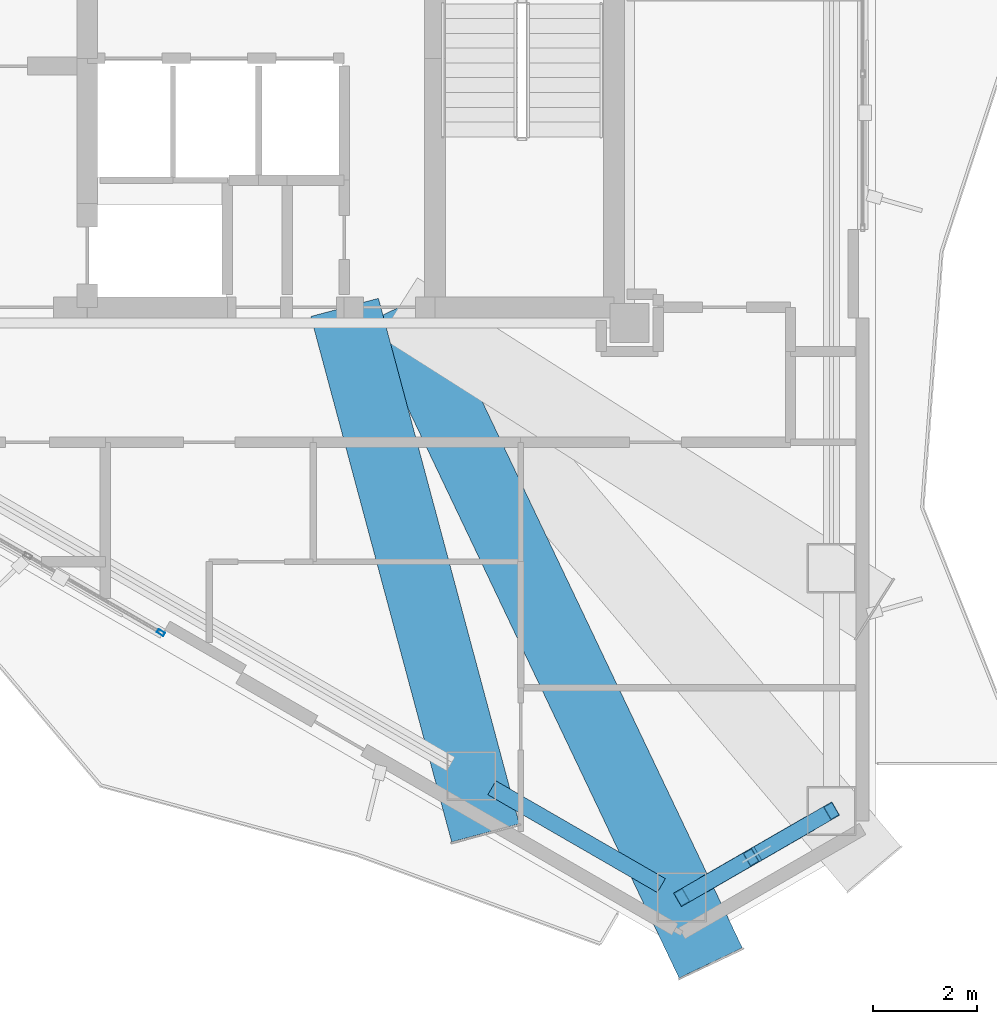
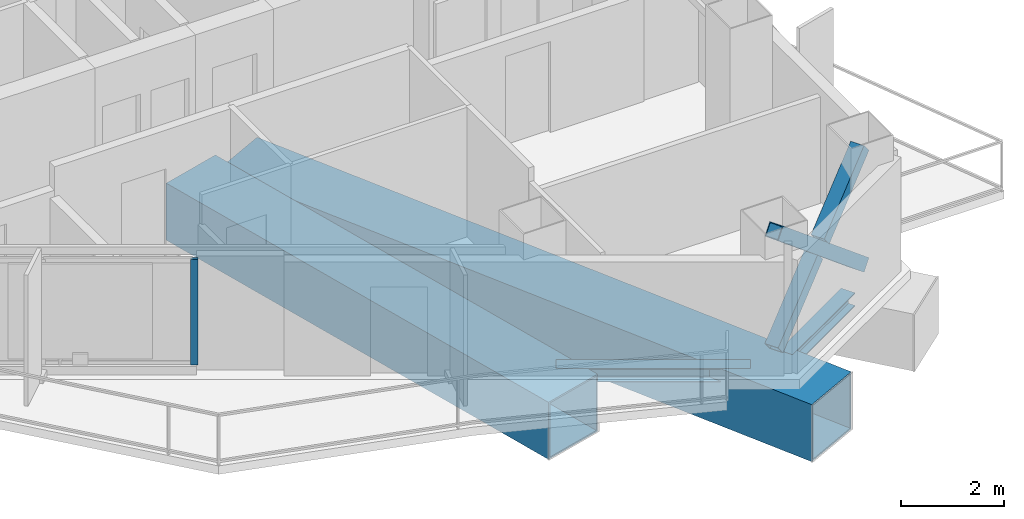
# One storey, part 4 of 19: 4 beams, 4 members, 1 element without a shape of its own.
"""IFC4 building model written with IfcOpenShell, lengths in metres."""

from ifc_helpers import new_model, si_unit, direction, frame, origin, origin_2d, place, context, subcontext, project, spatial, hollow_rectangle, i_section, extrude, material, layer, layer_set, material_profile, profile_set, type_object, element, aggregate, save


model = new_model("IFC4")

# Units and contexts
model_context = context("Model", 3, precision=1e-05, world=origin(), true_north=direction((0.0, 1.0)))
body_context = subcontext(model_context, "Body", "Model", "MODEL_VIEW")
ifc_project = project(units=[si_unit("LENGTHUNIT", "METRE"), si_unit("AREAUNIT", "SQUARE_METRE"), si_unit("VOLUMEUNIT", "CUBIC_METRE"), si_unit("PLANEANGLEUNIT", "RADIAN"), si_unit("MASSUNIT", "GRAM", prefix="KILO")], contexts=[model_context])

# Site, building, storey
site_placement = place(None, origin())
site = spatial("IfcSite", under=ifc_project, at=site_placement, CompositionType="ELEMENT")
building_placement = place(site_placement, origin())
building = spatial("IfcBuilding", under=site, at=building_placement, Name="Mersakhor Tower and Convention Hall", CompositionType="ELEMENT")
storey_placement = place(building_placement, frame((0.0, 0.0, 175.5)))
storey = spatial("IfcBuildingStorey", under=building, at=storey_placement, Name="L48", CompositionType="ELEMENT", Elevation=175.5)

# Beams
ifc_material_1 = material(Name="Steel S355", Category="steel")
ifc_material_profile_1 = material_profile(ifc_material_1, i_section(OverallWidth=0.30908203125, OverallDepth=0.320556640625, WebThickness=0.013916015625, FlangeThickness=0.021728515625, at=origin_2d()), Name="UC 305x305x137")
ifc_profile_set_1 = profile_set([ifc_material_profile_1], Name="Steel S355")
beam_type_1 = type_object("IfcBeamType", Name="BM-SPD-UC305", PredefinedType="SPANDREL", material=ifc_profile_set_1)
beam_1_placement = place(storey_placement, frame((39.594482421875, 10.820556640625, -0.39013671875), z_axis=(-0.86605626798, -0.499946537834, 0.0), x_axis=(0.499946537834, -0.86605626798, 0.0)))
element("IfcBeam", 1, at=beam_1_placement, inside=storey, type_object=beam_type_1, Name="L48 Perimeter Spandrel Beam SPB-08", PredefinedType="SPANDREL", context=body_context, shape_type="SweptSolid", body=[
    extrude(i_section(OverallWidth=0.30908203125, OverallDepth=0.320556640625, WebThickness=0.013916015625, FlangeThickness=0.021728515625, at=origin_2d()), origin(), (0.0, 0.0, 1.0), 2.420654296875),
])
beam_2_placement = place(storey_placement, frame((36.710205078125, 9.6103515625, -0.39013671875), z_axis=(-0.866046450459, 0.499963544319, 0.0), x_axis=(-0.499963544319, -0.866046450459, 0.0)))
element("IfcBeam", 2, at=beam_2_placement, inside=storey, type_object=beam_type_1, Name="L48 Perimeter Spandrel Beam SPB-09", PredefinedType="SPANDREL", context=body_context, shape_type="SweptSolid", body=[
    extrude(i_section(OverallWidth=0.30908203125, OverallDepth=0.320556640625, WebThickness=0.013916015625, FlangeThickness=0.021728515625, at=origin_2d()), origin(), (0.0, 0.0, 1.0), 3.769287109375),
])
ifc_material_2 = material(Name="Steel S460", Category="steel")
ifc_material_profile_2 = material_profile(ifc_material_2, hollow_rectangle(XDim=1.35009765625, YDim=1.35009765625, WallThickness=0.035888671875, at=origin_2d()), Name="SHS 1350x1350x36")
ifc_profile_set_2 = profile_set([ifc_material_profile_2], Name="Steel S460")
beam_type_2 = type_object("IfcBeamType", Name="BM-TR-BOX1350", PredefinedType="BEAM", material=ifc_profile_set_2)
beam_3_placement = place(storey_placement, frame((37.662353515625, 8.118896484375, -0.905029296875), z_axis=(-0.429796054418, 0.902925994535, 0.0), x_axis=(-0.902925994535, -0.429796054418, 0.0)))
element("IfcBeam", 3, at=beam_3_placement, inside=storey, type_object=beam_type_2, Name="L48 Taper Step Transfer Girder STG-09", PredefinedType="BEAM", context=body_context, shape_type="SweptSolid", body=[
    extrude(hollow_rectangle(XDim=1.35009765625, YDim=1.35009765625, WallThickness=0.035888671875, at=origin_2d()), origin(), (0.0, 0.0, 1.0), 13.989013671875),
])
beam_4_placement = place(storey_placement, frame((33.322265625, 10.624755859375, -0.905029296875), z_axis=(-0.258913419216, 0.96590053388, 0.0), x_axis=(-0.96590053388, -0.258913419216, 0.0)))
element("IfcBeam", 4, at=beam_4_placement, inside=storey, type_object=beam_type_2, Name="L48 Taper Step Transfer Girder STG-10", PredefinedType="BEAM", context=body_context, shape_type="SweptSolid", body=[
    extrude(hollow_rectangle(XDim=1.35009765625, YDim=1.35009765625, WallThickness=0.035888671875, at=origin_2d()), origin(), (0.0, 0.0, 1.0), 10.482666015625),
])

# Curtain wall, member
ifc_material_3 = material(Name="Dark solar low-E aluminium curtain wall", Category="aluminium")
ifc_layer = layer(ifc_material_3, 0.169921875)
ifc_layer_set = layer_set([ifc_layer], Name="Dark solar low-E aluminium curtain wall")
curtain_wall_type = type_object("IfcCurtainWallType", Name="CW-SYS-02", PredefinedType="USERDEFINED", material=ifc_layer_set)
curtain_wall_placement = place(storey_placement, origin())
curtain_wall = element("IfcCurtainWall", 5, at=curtain_wall_placement, inside=storey, type_object=curtain_wall_type, Name="L48 Dark-Glass Curtain Wall F3-B2", ObjectType="CURTAIN WALL", PredefinedType="USERDEFINED")
ifc_material_4 = material(Name="Anodised aluminium EN AW-6063 T6", Category="aluminium")
ifc_material_profile_3 = material_profile(ifc_material_4, hollow_rectangle(XDim=0.074951171875, YDim=0.14990234375, WallThickness=0.00634765625, at=origin_2d()), Name="RHS 150x75x6.3")
ifc_profile_set_3 = profile_set([ifc_material_profile_3], Name="Anodised aluminium EN AW-6063 T6")
member_type_1 = type_object("IfcMemberType", Name="CWM-150x75", PredefinedType="MULLION", material=ifc_profile_set_3)
member_1_placement = place(storey_placement, frame((27.06982421875, 14.483154296875, 0.199951171875), z_axis=(0.0, 0.0, 1.0), x_axis=(-0.500007824483, -0.86602088627, 0.0)))
member_1 = element("IfcMember", 6, at=member_1_placement, type_object=member_type_1, Name="CW-02 mullion 1", PredefinedType="MULLION", context=body_context, shape_type="SweptSolid", body=[
    extrude(hollow_rectangle(XDim=0.074951171875, YDim=0.14990234375, WallThickness=0.00634765625, at=origin_2d()), origin(), (0.0, 0.0, 1.0), 2.489990234375),
])
aggregate(curtain_wall, [member_1])

# Members
ifc_material_5 = material(Name="Steel S355", Category="steel")
ifc_material_profile_4 = material_profile(ifc_material_5, hollow_rectangle(XDim=0.300048828125, YDim=0.300048828125, WallThickness=0.01611328125, at=origin_2d()), Name="SHS 300x300x16")
ifc_profile_set_4 = profile_set([ifc_material_profile_4], Name="Steel S355")
member_type_2 = type_object("IfcMemberType", Name="MB-BRC-SHS300", PredefinedType="BRACE", material=ifc_profile_set_4)
member_2_placement = place(storey_placement, frame((39.98828125, 11.048095703125, 0.14990234375), z_axis=(-0.665824923443, -0.384424564314, 0.639448923429), x_axis=(0.50001011158, -0.866019565782, 0.0)))
element("IfcMember", 7, at=member_2_placement, inside=storey, type_object=member_type_2, Name="L48 Chamfer Braced Frame Diagonal CB-2A", PredefinedType="BRACE", context=body_context, shape_type="SweptSolid", body=[
    extrude(hollow_rectangle(XDim=0.300048828125, YDim=0.300048828125, WallThickness=0.01611328125, at=origin_2d()), origin(), (0.0, 0.0, 1.0), 4.331787109375),
])
member_3_placement = place(storey_placement, frame((37.10400390625, 9.3828125, 0.14990234375), z_axis=(0.665779245823, 0.384445210881, 0.639484069905), x_axis=(-0.50005597947, 0.86599308161, 0.0)))
element("IfcMember", 8, at=member_3_placement, inside=storey, type_object=member_type_2, Name="L48 Chamfer Braced Frame Diagonal CB-2B Lower Half", PredefinedType="BRACE", context=body_context, shape_type="SweptSolid", body=[
    extrude(hollow_rectangle(XDim=0.300048828125, YDim=0.300048828125, WallThickness=0.01611328125, at=origin_2d()), origin(), (0.0, 0.0, 1.0), 2.00537109375),
])
member_4_placement = place(storey_placement, frame((38.6533203125, 10.277099609375, 1.6376953125), z_axis=(0.665763296387, 0.384506307606, 0.639463941592), x_axis=(-0.500124558158, 0.865953478154, 0.0)))
element("IfcMember", 9, at=member_4_placement, inside=storey, type_object=member_type_2, Name="L48 Chamfer Braced Frame Diagonal CB-2B Upper Half", PredefinedType="BRACE", context=body_context, shape_type="SweptSolid", body=[
    extrude(hollow_rectangle(XDim=0.300048828125, YDim=0.300048828125, WallThickness=0.01611328125, at=origin_2d()), origin(), (0.0, 0.0, 1.0), 2.005126953125),
])

save(model, "model.ifc")
